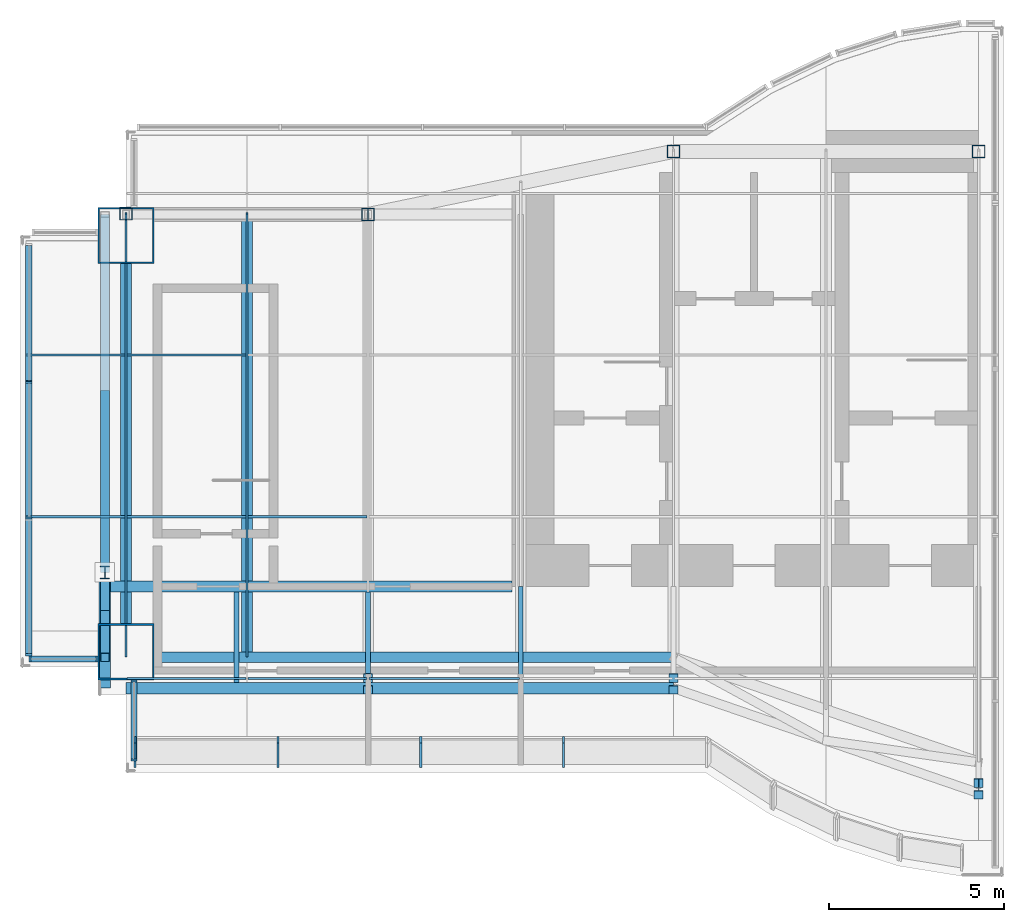
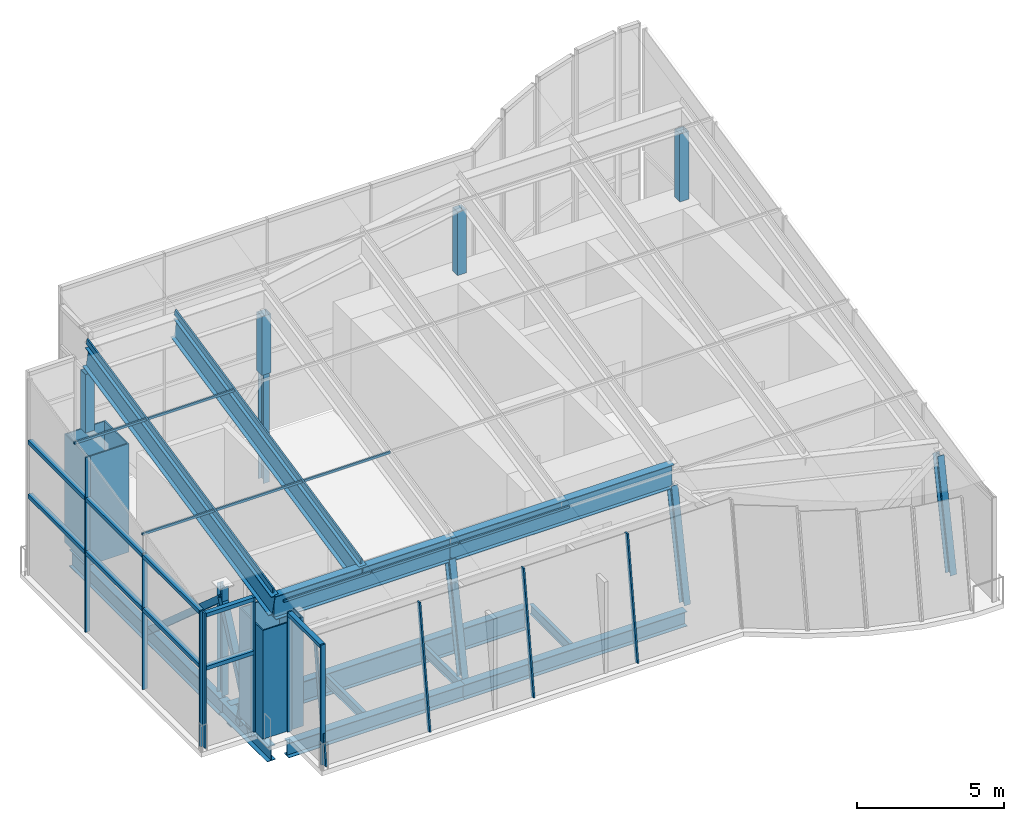
# One storey, part 1 of 8: 34 members, 12 beams, 11 columns, 6 elements without a shape of their own.
"""IFC4 building model written with IfcOpenShell, lengths in metres."""

from ifc_helpers import new_model, si_unit, direction, frame, origin, origin_2d, place, context, subcontext, project, spatial, rectangle, hollow_rectangle, i_section, extrude, material, material_profile, profile_set, type_object, element, aggregate, save


model = new_model("IFC4")

# Units and contexts
model_context = context("Model", 3, precision=1e-05, world=origin(), true_north=direction((0.0, 1.0)))
body_context = subcontext(model_context, "Body", "Model", "MODEL_VIEW")
ifc_project = project(units=[si_unit("LENGTHUNIT", "METRE"), si_unit("AREAUNIT", "SQUARE_METRE"), si_unit("VOLUMEUNIT", "CUBIC_METRE"), si_unit("PLANEANGLEUNIT", "RADIAN"), si_unit("MASSUNIT", "GRAM", prefix="KILO")], contexts=[model_context])

# Site, building, storey
site_placement = place(None, origin())
site = spatial("IfcSite", under=ifc_project, at=site_placement, CompositionType="ELEMENT")
building_placement = place(site_placement, origin())
building = spatial("IfcBuilding", under=site, at=building_placement, Name="Bicima Exchange Tower", CompositionType="ELEMENT")
storey_placement = place(building_placement, frame((0.0, 0.0, 379.39990234375)))
storey = spatial("IfcBuildingStorey", under=building, at=storey_placement, Name="L85", CompositionType="ELEMENT", Elevation=379.39990234375)

# Columns
ifc_material_1 = material(Name="Steel ASTM A572 Gr 50", Category="steel")
ifc_material_profile_1 = material_profile(ifc_material_1, hollow_rectangle(XDim=1.60009765625, YDim=1.60009765625, WallThickness=0.050048828125, at=origin_2d()))
ifc_profile_set_1 = profile_set([ifc_material_profile_1], Name="Steel ASTM A572 Gr 50")
column_type_1 = type_object("IfcColumnType", Name="Mega column BOX 1600x1600x50", PredefinedType="COLUMN", material=ifc_profile_set_1)
for number, where, z_axis, x_axis, name in (
    (1, (-33.0, -14.858642578125, 0.0), (0.0, 0.0, 1.0), (1.0, 0.0, 0.0), "Mega column mega-33.0f"),
    (2, (-33.0, -3.0, 0.0), (0.0, 0.0, 1.0), (1.0, 0.0, 0.0), "Mega column mega-33.0r"),
):
    element("IfcColumn", number, at=place(storey_placement, frame(where, z_axis=z_axis, x_axis=x_axis)), inside=storey, type_object=column_type_1, Name=name, PredefinedType="COLUMN", context=body_context, shape_type="SweptSolid", body=[
        extrude(hollow_rectangle(XDim=1.60009765625, YDim=1.60009765625, WallThickness=0.050048828125, at=origin_2d()), origin(), (0.0, 0.0, 1.0), 4.5),
    ])
ifc_material_2 = material(Name="Steel ASTM A992 Gr 50", Category="steel")
ifc_material_profile_2 = material_profile(ifc_material_2, i_section(OverallWidth=0.25390625, OverallDepth=0.35302734375, WebThickness=0.009521484375, FlangeThickness=0.016357421875, at=origin_2d()))
ifc_profile_set_2 = profile_set([ifc_material_profile_2], Name="Steel ASTM A992 Gr 50")
column_type_2 = type_object("IfcColumnType", Name="Perimeter column W14x61", PredefinedType="COLUMN", material=ifc_profile_set_2)
column_1_placement = place(storey_placement, frame((-26.10009765625, -15.890380859375, 0.03369140625), z_axis=(0.0, 0.191154699822, 0.981559922132), x_axis=(-1.0, 0.0, 0.0)))
element("IfcColumn", 3, at=column_1_placement, inside=storey, type_object=column_type_2, Name="Perimeter column grav-26.1f", PredefinedType="COLUMN", context=body_context, shape_type="SweptSolid", body=[
    extrude(i_section(OverallWidth=0.25390625, OverallDepth=0.35302734375, WebThickness=0.009521484375, FlangeThickness=0.016357421875, at=origin_2d()), origin(), (0.0, 0.0, 1.0), 4.51611328125),
])
column_2_placement = place(storey_placement, frame((-26.10009765625, -2.39990234375, 0.0), z_axis=(0.0, 0.0, 1.0), x_axis=(1.0, 0.0, 0.0)))
element("IfcColumn", 4, at=column_2_placement, inside=storey, type_object=column_type_2, Name="Perimeter column grav-26.1r", PredefinedType="COLUMN", context=body_context, shape_type="SweptSolid", body=[
    extrude(i_section(OverallWidth=0.25390625, OverallDepth=0.35302734375, WebThickness=0.009521484375, FlangeThickness=0.016357421875, at=origin_2d()), origin(), (0.0, 0.0, 1.0), 4.5),
])
for number, where, z_axis, x_axis, name in (
    (5, (-17.39990234375, -15.890380859375, 0.03369140625), (0.0, 0.191154699822, 0.981559922132), (-1.0, 0.0, 0.0), "Perimeter column grav-17.4f"),
    (6, (-8.699951171875, -18.881591796875, 0.03369140625), (0.0, 0.191206783257, 0.981549777666), (-1.0, 0.0, 0.0), "Perimeter column grav-8.7f"),
):
    element("IfcColumn", number, at=place(storey_placement, frame(where, z_axis=z_axis, x_axis=x_axis)), inside=storey, type_object=column_type_2, Name=name, PredefinedType="COLUMN", context=body_context, shape_type="SweptSolid", body=[
        extrude(i_section(OverallWidth=0.25390625, OverallDepth=0.35302734375, WebThickness=0.009521484375, FlangeThickness=0.016357421875, at=origin_2d()), origin(), (0.0, 0.0, 1.0), 4.51611328125),
    ])
column_3_placement = place(storey_placement, frame((-33.60009765625, -12.60009765625, 0.0), z_axis=(0.0, 0.0, 1.0), x_axis=(1.0, 0.0, 0.0)))
element("IfcColumn", 7, at=column_3_placement, inside=storey, type_object=column_type_2, Name="End column end-33.6e", PredefinedType="COLUMN", context=body_context, shape_type="SweptSolid", body=[
    extrude(i_section(OverallWidth=0.25390625, OverallDepth=0.35302734375, WebThickness=0.009521484375, FlangeThickness=0.016357421875, at=origin_2d()), origin(), (0.0, 0.0, 1.0), 4.5),
])
ifc_material_profile_3 = material_profile(ifc_material_1, hollow_rectangle(XDim=0.355712890625, YDim=0.355712890625, WallThickness=0.01171875, at=origin_2d()))
ifc_profile_set_3 = profile_set([ifc_material_profile_3], Name="Steel ASTM A572 Gr 50")
column_type_3 = type_object("IfcColumnType", Name="Roof post HSS14x14x1/2", PredefinedType="COLUMN", material=ifc_profile_set_3)
column_4_placement = place(storey_placement, frame((-33.0, -2.377685546875, 4.51611328125), z_axis=(0.0, 0.0, 1.0), x_axis=(1.0, 0.0, 0.0)))
element("IfcColumn", 8, at=column_4_placement, inside=storey, type_object=column_type_3, Name="Roof post", PredefinedType="COLUMN", context=body_context, shape_type="SweptSolid", body=[
    extrude(hollow_rectangle(XDim=0.355712890625, YDim=0.355712890625, WallThickness=0.01171875, at=origin_2d()), origin(), (0.0, 0.0, 1.0), 2.4169921875),
])
column_5_placement = place(storey_placement, frame((-26.10009765625, -2.39990234375, 4.5), z_axis=(0.0, 0.0, 1.0), x_axis=(1.0, 0.0, 0.0)))
element("IfcColumn", 9, at=column_5_placement, inside=storey, type_object=column_type_3, Name="Roof post", PredefinedType="COLUMN", context=body_context, shape_type="SweptSolid", body=[
    extrude(hollow_rectangle(XDim=0.355712890625, YDim=0.355712890625, WallThickness=0.01171875, at=origin_2d()), origin(), (0.0, 0.0, 1.0), 2.43310546875),
])
column_6_placement = place(storey_placement, frame((-17.39990234375, -0.60009765625, 4.5), z_axis=(0.0, 0.0, 1.0), x_axis=(1.0, 0.0, 0.0)))
element("IfcColumn", 10, at=column_6_placement, inside=storey, type_object=column_type_3, Name="Roof post", PredefinedType="COLUMN", context=body_context, shape_type="SweptSolid", body=[
    extrude(hollow_rectangle(XDim=0.355712890625, YDim=0.355712890625, WallThickness=0.01171875, at=origin_2d()), origin(), (0.0, 0.0, 1.0), 2.624267578125),
])
column_7_placement = place(storey_placement, frame((-8.699951171875, -0.60009765625, 4.5), z_axis=(0.0, 0.0, 1.0), x_axis=(1.0, 0.0, 0.0)))
element("IfcColumn", 11, at=column_7_placement, inside=storey, type_object=column_type_3, Name="Roof post", PredefinedType="COLUMN", context=body_context, shape_type="SweptSolid", body=[
    extrude(hollow_rectangle(XDim=0.355712890625, YDim=0.355712890625, WallThickness=0.01171875, at=origin_2d()), origin(), (0.0, 0.0, 1.0), 2.815673828125),
])

# Beam
ifc_material_profile_4 = material_profile(ifc_material_2, i_section(OverallWidth=0.3046875, OverallDepth=0.911865234375, WebThickness=0.015869140625, FlangeThickness=0.02392578125, at=origin_2d()))
ifc_profile_set_4 = profile_set([ifc_material_profile_4], Name="Steel ASTM A992 Gr 50")
beam_type_1 = type_object("IfcBeamType", Name="Core-line girder W36x150", PredefinedType="BEAM", material=ifc_profile_set_4)
beam_1_placement = place(storey_placement, frame((-22.0, -13.0, -0.65576171875), z_axis=(-1.0, 0.0, 0.0), x_axis=(0.0, -1.0, 0.0)))
element("IfcBeam", 12, at=beam_1_placement, inside=storey, type_object=beam_type_1, Name="Core-line girder", PredefinedType="BEAM", context=body_context, shape_type="SweptSolid", body=[
    extrude(i_section(OverallWidth=0.3046875, OverallDepth=0.911865234375, WebThickness=0.015869140625, FlangeThickness=0.02392578125, at=origin_2d()), origin(), (0.0, 0.0, 1.0), 11.60009765625),
])

# Curtain wall, members
ifc_material_3 = material(Name="Anodised bronze aluminium", Category="aluminium")
curtain_wall_type = type_object("IfcCurtainWallType", Name="Crown glass wall", PredefinedType="NOTDEFINED", material=ifc_material_3)
curtain_wall_1_placement = place(storey_placement, origin())
curtain_wall_1 = element("IfcCurtainWall", 13, at=curtain_wall_1_placement, inside=storey, type_object=curtain_wall_type, Name="Crown glass wall L85 run 11", PredefinedType="NOTDEFINED")
ifc_material_profile_5 = material_profile(ifc_material_3, rectangle(XDim=0.179931640625, YDim=0.06005859375, at=origin_2d()))
ifc_profile_set_5 = profile_set([ifc_material_profile_5], Name="Anodised bronze aluminium")
member_type_1 = type_object("IfcMemberType", Name="Crown glass wall mullion 60 x 180", PredefinedType="MULLION", material=ifc_profile_set_5)
member_1_placement = place(storey_placement, frame((-35.77001953125, -7.15576171875, 0.0), z_axis=(0.0, 0.0, 1.0), x_axis=(1.0, 0.0, 0.0)))
member_1 = element("IfcMember", 14, at=member_1_placement, type_object=member_type_1, Name="Crown glass wall mullion 2", PredefinedType="MULLION", context=body_context, shape_type="SweptSolid", body=[
    extrude(rectangle(XDim=0.179931640625, YDim=0.06005859375, at=origin_2d()), origin(), (0.0, 0.0, 1.0), 5.604248046875),
])
member_2_placement = place(storey_placement, frame((-35.77001953125, -11.05126953125, 0.0), z_axis=(0.0, 0.0, 1.0), x_axis=(1.0, 0.0, 0.0)))
member_2 = element("IfcMember", 15, at=member_2_placement, type_object=member_type_1, Name="Crown glass wall mullion 3", PredefinedType="MULLION", context=body_context, shape_type="SweptSolid", body=[
    extrude(rectangle(XDim=0.179931640625, YDim=0.06005859375, at=origin_2d()), origin(), (0.0, 0.0, 1.0), 5.604248046875),
])
member_3_placement = place(storey_placement, frame((-35.77001953125, -14.947021484375, 0.0), z_axis=(0.0, 0.0, 1.0), x_axis=(1.0, 0.0, 0.0)))
member_3 = element("IfcMember", 16, at=member_3_placement, type_object=member_type_1, Name="Crown glass wall mullion 4", PredefinedType="MULLION", context=body_context, shape_type="SweptSolid", body=[
    extrude(rectangle(XDim=0.179931640625, YDim=0.06005859375, at=origin_2d()), origin(), (0.0, 0.0, 1.0), 5.604248046875),
])

curtain_wall_2_placement = place(storey_placement, origin())
curtain_wall_2 = element("IfcCurtainWall", 17, at=curtain_wall_2_placement, inside=storey, type_object=curtain_wall_type, Name="Crown glass wall L85 run 12", PredefinedType="NOTDEFINED")
member_4_placement = place(storey_placement, frame((-35.739990234375, -15.06689453125, 0.0), z_axis=(0.0, 0.0, 1.0), x_axis=(0.0, 1.0, 0.0)))
member_4 = element("IfcMember", 18, at=member_4_placement, type_object=member_type_1, Name="Crown glass wall mullion 1", PredefinedType="MULLION", context=body_context, shape_type="SweptSolid", body=[
    extrude(rectangle(XDim=0.179931640625, YDim=0.06005859375, at=origin_2d()), origin(), (0.0, 0.0, 1.0), 5.585205078125),
])
member_5_placement = place(storey_placement, frame((-33.830078125, -15.06689453125, 0.0), z_axis=(0.0, 0.0, 1.0), x_axis=(0.0, 1.0, 0.0)))
member_5 = element("IfcMember", 19, at=member_5_placement, type_object=member_type_1, Name="Crown glass wall mullion 2", PredefinedType="MULLION", context=body_context, shape_type="SweptSolid", body=[
    extrude(rectangle(XDim=0.179931640625, YDim=0.06005859375, at=origin_2d()), origin(), (0.0, 0.0, 1.0), 5.585205078125),
])

curtain_wall_3_placement = place(storey_placement, origin())
curtain_wall_3 = element("IfcCurtainWall", 20, at=curtain_wall_3_placement, inside=storey, type_object=curtain_wall_type, Name="Crown glass wall L85 run 13", PredefinedType="NOTDEFINED")
member_6_placement = place(storey_placement, frame((-32.77001953125, -15.688720703125, 0.0), z_axis=(0.0, 0.0, 1.0), x_axis=(1.0, 0.0, 0.0)))
member_6 = element("IfcMember", 21, at=member_6_placement, type_object=member_type_1, Name="Crown glass wall mullion 1", PredefinedType="MULLION", context=body_context, shape_type="SweptSolid", body=[
    extrude(rectangle(XDim=0.179931640625, YDim=0.06005859375, at=origin_2d()), origin(), (0.0, 0.0, 1.0), 4.966552734375),
])
member_7_placement = place(storey_placement, frame((-32.77001953125, -17.947021484375, 0.0), z_axis=(0.0, 0.0, 1.0), x_axis=(1.0, 0.0, 0.0)))
member_7 = element("IfcMember", 22, at=member_7_placement, type_object=member_type_1, Name="Crown glass wall mullion 2", PredefinedType="MULLION", context=body_context, shape_type="SweptSolid", body=[
    extrude(rectangle(XDim=0.179931640625, YDim=0.06005859375, at=origin_2d()), origin(), (0.0, 0.0, 1.0), 4.966552734375),
])

curtain_wall_4_placement = place(storey_placement, origin())
curtain_wall_4 = element("IfcCurtainWall", 23, at=curtain_wall_4_placement, inside=storey, type_object=curtain_wall_type, Name="Crown tilted glass L85 14.1", PredefinedType="NOTDEFINED")
member_8_placement = place(storey_placement, frame((-32.739990234375, -18.06689453125, 0.0), z_axis=(0.0, 0.139170225062, 0.990268472918), x_axis=(0.0, -0.990268472918, 0.139170225062)))
member_8 = element("IfcMember", 24, at=member_8_placement, type_object=member_type_1, Name="Crown tilted mullion 1", PredefinedType="MULLION", context=body_context, shape_type="SweptSolid", body=[
    extrude(rectangle(XDim=0.179931640625, YDim=0.06005859375, at=origin_2d()), origin(), (0.0, 0.0, 1.0), 4.99609375),
])
member_9_placement = place(storey_placement, frame((-28.67041015625, -18.06689453125, 0.0), z_axis=(0.0, 0.139170225062, 0.990268472918), x_axis=(0.0, -0.990268472918, 0.139170225062)))
member_9 = element("IfcMember", 25, at=member_9_placement, type_object=member_type_1, Name="Crown tilted mullion 2", PredefinedType="MULLION", context=body_context, shape_type="SweptSolid", body=[
    extrude(rectangle(XDim=0.179931640625, YDim=0.06005859375, at=origin_2d()), origin(), (0.0, 0.0, 1.0), 4.99609375),
])
member_10_placement = place(storey_placement, frame((-24.60107421875, -18.06689453125, 0.0), z_axis=(0.0, 0.139170225062, 0.990268472918), x_axis=(0.0, -0.990268472918, 0.139170225062)))
member_10 = element("IfcMember", 26, at=member_10_placement, type_object=member_type_1, Name="Crown tilted mullion 3", PredefinedType="MULLION", context=body_context, shape_type="SweptSolid", body=[
    extrude(rectangle(XDim=0.179931640625, YDim=0.06005859375, at=origin_2d()), origin(), (0.0, 0.0, 1.0), 4.99609375),
])
member_11_placement = place(storey_placement, frame((-20.531494140625, -18.06689453125, 0.0), z_axis=(0.0, 0.139170225062, 0.990268472918), x_axis=(0.0, -0.990268472918, 0.139170225062)))
member_11 = element("IfcMember", 27, at=member_11_placement, type_object=member_type_1, Name="Crown tilted mullion 4", PredefinedType="MULLION", context=body_context, shape_type="SweptSolid", body=[
    extrude(rectangle(XDim=0.179931640625, YDim=0.06005859375, at=origin_2d()), origin(), (0.0, 0.0, 1.0), 4.99609375),
])
aggregate(curtain_wall_4, [member_8, member_9, member_10, member_11])

# Curtain wall, member
curtain_wall_5_placement = place(storey_placement, origin())
curtain_wall_5 = element("IfcCurtainWall", 28, at=curtain_wall_5_placement, inside=storey, type_object=curtain_wall_type, Name="Gable glazing west 11", PredefinedType="NOTDEFINED")
member_12_placement = place(storey_placement, frame((-35.77001953125, -7.185791015625, 5.585205078125), z_axis=(0.0, 0.0, 1.0), x_axis=(1.0, 0.0, 0.0)))
member_12 = element("IfcMember", 29, at=member_12_placement, type_object=member_type_1, Name="Gable glazing mullion 2", PredefinedType="MULLION", context=body_context, shape_type="SweptSolid", body=[
    extrude(rectangle(XDim=0.179931640625, YDim=0.06005859375, at=origin_2d()), origin(), (0.0, 0.0, 1.0), 1.67529296875),
])
aggregate(curtain_wall_5, [member_12])

# Member
ifc_material_profile_6 = material_profile(ifc_material_3, rectangle(XDim=0.179931640625, YDim=0.159912109375, at=origin_2d()))
ifc_profile_set_6 = profile_set([ifc_material_profile_6], Name="Anodised bronze aluminium")
member_type_2 = type_object("IfcMemberType", Name="Crown glass wall transom 160 x 180", PredefinedType="USERDEFINED", material=ifc_profile_set_6)
member_13_placement = place(storey_placement, frame((-35.77001953125, -3.2900390625, 3.300048828125), z_axis=(0.0, -1.0, 0.0), x_axis=(1.0, 0.0, 0.0)))
member_13 = element("IfcMember", 30, at=member_13_placement, type_object=member_type_2, Name="Crown glass wall transom 1.1", ObjectType="TRANSOM", PredefinedType="USERDEFINED", context=body_context, shape_type="SweptSolid", body=[
    extrude(rectangle(XDim=0.179931640625, YDim=0.159912109375, at=origin_2d()), origin(), (0.0, 0.0, 1.0), 3.835693359375),
])

member_14_placement = place(storey_placement, frame((-35.77001953125, -3.2900390625, 5.5244140625), z_axis=(0.0, -1.0, 0.0), x_axis=(1.0, 0.0, 0.0)))
member_14 = element("IfcMember", 31, at=member_14_placement, type_object=member_type_2, Name="Crown glass wall transom 1.2", ObjectType="TRANSOM", PredefinedType="USERDEFINED", context=body_context, shape_type="SweptSolid", body=[
    extrude(rectangle(XDim=0.179931640625, YDim=0.159912109375, at=origin_2d()), origin(), (0.0, 0.0, 1.0), 3.835693359375),
])

member_15_placement = place(storey_placement, frame((-35.77001953125, -7.185791015625, 3.300048828125), z_axis=(0.0, -1.0, 0.0), x_axis=(1.0, 0.0, 0.0)))
member_15 = element("IfcMember", 32, at=member_15_placement, type_object=member_type_2, Name="Crown glass wall transom 2.1", ObjectType="TRANSOM", PredefinedType="USERDEFINED", context=body_context, shape_type="SweptSolid", body=[
    extrude(rectangle(XDim=0.179931640625, YDim=0.159912109375, at=origin_2d()), origin(), (0.0, 0.0, 1.0), 3.83544921875),
])

member_16_placement = place(storey_placement, frame((-35.77001953125, -7.185791015625, 5.5244140625), z_axis=(0.0, -1.0, 0.0), x_axis=(1.0, 0.0, 0.0)))
member_16 = element("IfcMember", 33, at=member_16_placement, type_object=member_type_2, Name="Crown glass wall transom 2.2", ObjectType="TRANSOM", PredefinedType="USERDEFINED", context=body_context, shape_type="SweptSolid", body=[
    extrude(rectangle(XDim=0.179931640625, YDim=0.159912109375, at=origin_2d()), origin(), (0.0, 0.0, 1.0), 3.83544921875),
])

member_17_placement = place(storey_placement, frame((-35.77001953125, -11.081298828125, 3.300048828125), z_axis=(0.0, -1.0, 0.0), x_axis=(1.0, 0.0, 0.0)))
member_17 = element("IfcMember", 34, at=member_17_placement, type_object=member_type_2, Name="Crown glass wall transom 3.1", ObjectType="TRANSOM", PredefinedType="USERDEFINED", context=body_context, shape_type="SweptSolid", body=[
    extrude(rectangle(XDim=0.179931640625, YDim=0.159912109375, at=origin_2d()), origin(), (0.0, 0.0, 1.0), 3.835693359375),
])

member_18_placement = place(storey_placement, frame((-35.77001953125, -11.081298828125, 5.5244140625), z_axis=(0.0, -1.0, 0.0), x_axis=(1.0, 0.0, 0.0)))
member_18 = element("IfcMember", 35, at=member_18_placement, type_object=member_type_2, Name="Crown glass wall transom 3.2", ObjectType="TRANSOM", PredefinedType="USERDEFINED", context=body_context, shape_type="SweptSolid", body=[
    extrude(rectangle(XDim=0.179931640625, YDim=0.159912109375, at=origin_2d()), origin(), (0.0, 0.0, 1.0), 3.835693359375),
])

aggregate(curtain_wall_1, [member_1, member_2, member_3, member_13, member_14, member_15, member_16, member_17, member_18])

member_19_placement = place(storey_placement, frame((-35.7099609375, -15.06689453125, 3.300048828125), z_axis=(1.0, 0.0, 0.0), x_axis=(0.0, 1.0, 0.0)))
member_19 = element("IfcMember", 36, at=member_19_placement, type_object=member_type_2, Name="Crown glass wall transom 1.1", ObjectType="TRANSOM", PredefinedType="USERDEFINED", context=body_context, shape_type="SweptSolid", body=[
    extrude(rectangle(XDim=0.179931640625, YDim=0.159912109375, at=origin_2d()), origin(), (0.0, 0.0, 1.0), 1.849853515625),
])

member_20_placement = place(storey_placement, frame((-35.7099609375, -15.06689453125, 5.505126953125), z_axis=(1.0, 0.0, 0.0), x_axis=(0.0, 1.0, 0.0)))
member_20 = element("IfcMember", 37, at=member_20_placement, type_object=member_type_2, Name="Crown glass wall transom 1.2", ObjectType="TRANSOM", PredefinedType="USERDEFINED", context=body_context, shape_type="SweptSolid", body=[
    extrude(rectangle(XDim=0.179931640625, YDim=0.159912109375, at=origin_2d()), origin(), (0.0, 0.0, 1.0), 1.849853515625),
])

aggregate(curtain_wall_2, [member_4, member_5, member_19, member_20])

member_21_placement = place(storey_placement, frame((-32.77001953125, -15.71875, 4.88671875), z_axis=(0.0, -1.0, 0.0), x_axis=(1.0, 0.0, 0.0)))
member_21 = element("IfcMember", 38, at=member_21_placement, type_object=member_type_2, Name="Crown glass wall transom 1.1", ObjectType="TRANSOM", PredefinedType="USERDEFINED", context=body_context, shape_type="SweptSolid", body=[
    extrude(rectangle(XDim=0.179931640625, YDim=0.159912109375, at=origin_2d()), origin(), (0.0, 0.0, 1.0), 2.1982421875),
])

aggregate(curtain_wall_3, [member_6, member_7, member_21])

# Beams
ifc_material_profile_7 = material_profile(ifc_material_2, i_section(OverallWidth=0.3251953125, OverallDepth=0.612060546875, WebThickness=0.0126953125, FlangeThickness=0.01904296875, at=origin_2d()))
ifc_profile_set_7 = profile_set([ifc_material_profile_7], Name="Steel ASTM A992 Gr 50")
beam_type_2 = type_object("IfcBeamType", Name="End girder W24x104", PredefinedType="BEAM", material=ifc_profile_set_7)
beam_2_placement = place(storey_placement, frame((-33.60009765625, -12.60009765625, -0.506103515625), z_axis=(0.0, -1.0, 0.0), x_axis=(1.0, 0.0, 0.0)))
element("IfcBeam", 39, at=beam_2_placement, inside=storey, type_object=beam_type_2, Name="End girder", PredefinedType="BEAM", context=body_context, shape_type="SweptSolid", body=[
    extrude(i_section(OverallWidth=0.3251953125, OverallDepth=0.612060546875, WebThickness=0.0126953125, FlangeThickness=0.01904296875, at=origin_2d()), origin(), (0.0, 0.0, 1.0), 3.296875),
])
ifc_material_profile_8 = material_profile(ifc_material_2, i_section(OverallWidth=0.256591796875, OverallDepth=0.693359375, WebThickness=0.014404296875, FlangeThickness=0.023681640625, at=origin_2d()))
ifc_profile_set_8 = profile_set([ifc_material_profile_8], Name="Steel ASTM A992 Gr 50")
beam_type_3 = type_object("IfcBeamType", Name="End girder W27x114", PredefinedType="BEAM", material=ifc_profile_set_8)
beam_3_placement = place(storey_placement, frame((-33.60009765625, -2.39990234375, -0.546630859375), z_axis=(0.0, -1.0, 0.0), x_axis=(1.0, 0.0, 0.0)))
element("IfcBeam", 40, at=beam_3_placement, inside=storey, type_object=beam_type_3, Name="End girder", PredefinedType="BEAM", context=body_context, shape_type="SweptSolid", body=[
    extrude(i_section(OverallWidth=0.256591796875, OverallDepth=0.693359375, WebThickness=0.014404296875, FlangeThickness=0.023681640625, at=origin_2d()), origin(), (0.0, 0.0, 1.0), 10.2001953125),
])
ifc_material_profile_9 = material_profile(ifc_material_2, i_section(OverallWidth=0.140380859375, OverallDepth=0.40380859375, WebThickness=0.007080078125, FlangeThickness=0.01123046875, at=origin_2d()))
ifc_profile_set_9 = profile_set([ifc_material_profile_9], Name="Steel ASTM A992 Gr 50")
beam_type_4 = type_object("IfcBeamType", Name="Floor beam W16x31", PredefinedType="JOIST", material=ifc_profile_set_9)
for number, where, z_axis, x_axis, name in (
    (41, (-29.85009765625, -13.15234375, -0.40185546875), (0.0, -1.0, 0.0), (1.0, 0.0, 0.0), "Floor beam"),
    (42, (-26.10009765625, -13.15234375, -0.40185546875), (0.0, -1.0, 0.0), (1.0, 0.0, 0.0), "Floor beam"),
):
    element("IfcBeam", number, at=place(storey_placement, frame(where, z_axis=z_axis, x_axis=x_axis)), inside=storey, type_object=beam_type_4, Name=name, PredefinedType="JOIST", context=body_context, shape_type="SweptSolid", body=[
        extrude(i_section(OverallWidth=0.140380859375, OverallDepth=0.40380859375, WebThickness=0.007080078125, FlangeThickness=0.01123046875, at=origin_2d()), origin(), (0.0, 0.0, 1.0), 2.58203125),
    ])
beam_4_placement = place(storey_placement, frame((-21.75, -13.0, -0.40185546875), z_axis=(0.0, -1.0, 0.0), x_axis=(1.0, 0.0, 0.0)))
element("IfcBeam", 43, at=beam_4_placement, inside=storey, type_object=beam_type_4, Name="Floor beam", PredefinedType="JOIST", context=body_context, shape_type="SweptSolid", body=[
    extrude(i_section(OverallWidth=0.140380859375, OverallDepth=0.40380859375, WebThickness=0.007080078125, FlangeThickness=0.01123046875, at=origin_2d()), origin(), (0.0, 0.0, 1.0), 2.734375),
])
beam_type_5 = type_object("IfcBeamType", Name="Front girder W24x104", PredefinedType="BEAM", material=ifc_profile_set_7)
beam_5_placement = place(storey_placement, frame((-33.0, -15.89697265625, -0.506103515625), z_axis=(1.0, 0.0, 0.0), x_axis=(0.0, 1.0, 0.0)))
element("IfcBeam", 44, at=beam_5_placement, inside=storey, type_object=beam_type_5, Name="Front girder", PredefinedType="BEAM", context=body_context, shape_type="SweptSolid", body=[
    extrude(i_section(OverallWidth=0.3251953125, OverallDepth=0.612060546875, WebThickness=0.0126953125, FlangeThickness=0.01904296875, at=origin_2d()), origin(), (0.0, 0.0, 1.0), 6.89990234375),
])
beam_6_placement = place(storey_placement, frame((-26.10009765625, -15.89697265625, -0.506103515625), z_axis=(1.0, 0.0, 0.0), x_axis=(0.0, 1.0, 0.0)))
element("IfcBeam", 45, at=beam_6_placement, inside=storey, type_object=beam_type_5, Name="Front girder", PredefinedType="BEAM", context=body_context, shape_type="SweptSolid", body=[
    extrude(i_section(OverallWidth=0.3251953125, OverallDepth=0.612060546875, WebThickness=0.0126953125, FlangeThickness=0.01904296875, at=origin_2d()), origin(), (0.0, 0.0, 1.0), 8.7001953125),
])

# Members
ifc_material_profile_10 = material_profile(ifc_material_1, hollow_rectangle(XDim=0.25390625, YDim=0.25390625, WallThickness=0.01171875, at=origin_2d()))
ifc_profile_set_10 = profile_set([ifc_material_profile_10], Name="Steel ASTM A572 Gr 50")
member_type_3 = type_object("IfcMemberType", Name="Mega brace HSS10x10x1/2", PredefinedType="BRACE", material=ifc_profile_set_10)
member_22_placement = place(storey_placement, frame((-33.60009765625, -7.5, -0.546630859375), z_axis=(0.0, -0.749844140428, 0.661614513948), x_axis=(1.0, 0.0, 0.0)))
element("IfcMember", 46, at=member_22_placement, inside=storey, type_object=member_type_3, Name="Mega brace west end", PredefinedType="BRACE", context=body_context, shape_type="SweptSolid", body=[
    extrude(hollow_rectangle(XDim=0.25390625, YDim=0.25390625, WallThickness=0.01171875, at=origin_2d()), origin(), (0.0, 0.0, 1.0), 6.801513671875),
])
member_23_placement = place(storey_placement, frame((-33.60009765625, -13.810302734375, -0.506103515625), z_axis=(0.0, -0.259706662276, 0.965687552767), x_axis=(1.0, 0.0, 0.0)))
element("IfcMember", 47, at=member_23_placement, inside=storey, type_object=member_type_3, Name="Mega brace west end", PredefinedType="BRACE", context=body_context, shape_type="SweptSolid", body=[
    extrude(hollow_rectangle(XDim=0.25390625, YDim=0.25390625, WallThickness=0.01171875, at=origin_2d()), origin(), (0.0, 0.0, 1.0), 4.659912109375),
])
member_24_placement = place(storey_placement, frame((-33.60009765625, -14.686767578125, -0.506103515625), z_axis=(0.0, 0.420677425977, 0.907210286137), x_axis=(-1.0, 0.0, 0.0)))
element("IfcMember", 48, at=member_24_placement, inside=storey, type_object=member_type_3, Name="Mega brace west end", PredefinedType="BRACE", context=body_context, shape_type="SweptSolid", body=[
    extrude(hollow_rectangle(XDim=0.25390625, YDim=0.25390625, WallThickness=0.01171875, at=origin_2d()), origin(), (0.0, 0.0, 1.0), 4.960205078125),
])

# Beams
ifc_material_profile_11 = material_profile(ifc_material_2, i_section(OverallWidth=0.2998046875, OverallDepth=0.97021484375, WebThickness=0.01611328125, FlangeThickness=0.02099609375, at=origin_2d()))
ifc_profile_set_11 = profile_set([ifc_material_profile_11], Name="Steel ASTM A992 Gr 50")
beam_type_6 = type_object("IfcBeamType", Name="Roof eave beam W40x149", PredefinedType="BEAM", material=ifc_profile_set_11)
beam_7_placement = place(storey_placement, frame((-33.0, -15.0205078125, 4.85498046875), z_axis=(1.0, 0.0, 0.0), x_axis=(0.0, 1.0, 0.0)))
element("IfcBeam", 49, at=beam_7_placement, inside=storey, type_object=beam_type_6, Name="Roof eave beam", PredefinedType="BEAM", context=body_context, shape_type="SweptSolid", body=[
    extrude(i_section(OverallWidth=0.2998046875, OverallDepth=0.97021484375, WebThickness=0.01611328125, FlangeThickness=0.02099609375, at=origin_2d()), origin(), (0.0, 0.0, 1.0), 6.89990234375),
])
beam_8_placement = place(storey_placement, frame((-26.10009765625, -15.0205078125, 4.85498046875), z_axis=(1.0, 0.0, 0.0), x_axis=(0.0, 1.0, 0.0)))
element("IfcBeam", 50, at=beam_8_placement, inside=storey, type_object=beam_type_6, Name="Roof eave beam", PredefinedType="BEAM", context=body_context, shape_type="SweptSolid", body=[
    extrude(i_section(OverallWidth=0.2998046875, OverallDepth=0.97021484375, WebThickness=0.01611328125, FlangeThickness=0.02099609375, at=origin_2d()), origin(), (0.0, 0.0, 1.0), 8.7001953125),
])

# Curtain wall, members
curtain_wall_6_placement = place(storey_placement, origin())
curtain_wall_6 = element("IfcCurtainWall", 51, at=curtain_wall_6_placement, inside=storey, type_object=curtain_wall_type, Name="Roof glazing west", PredefinedType="NOTDEFINED")
ifc_material_profile_12 = material_profile(ifc_material_3, rectangle(XDim=0.06005859375, YDim=0.248291015625, at=origin_2d()))
ifc_profile_set_12 = profile_set([ifc_material_profile_12], Name="Anodised bronze aluminium")
member_type_4 = type_object("IfcMemberType", Name="Roof glazing bar 60 x 248", PredefinedType="USERDEFINED", material=ifc_profile_set_12)
member_25_placement = place(storey_placement, frame((-33.0, -14.985595703125, 5.468017578125), z_axis=(0.0, 0.978147211684, 0.207913521143), x_axis=(-1.0, 0.0, 0.0)))
member_25 = element("IfcMember", 52, at=member_25_placement, type_object=member_type_4, Name="Roof glazing bar west rafter 1", ObjectType="GLAZING BAR", PredefinedType="USERDEFINED", context=body_context, shape_type="SweptSolid", body=[
    extrude(rectangle(XDim=0.06005859375, YDim=0.248291015625, at=origin_2d()), origin(), (0.0, 0.0, 1.0), 12.902587890625),
])
member_26_placement = place(storey_placement, frame((-29.550048828125, -14.985595703125, 5.468017578125), z_axis=(0.0, 0.978147211684, 0.207913521143), x_axis=(-1.0, 0.0, 0.0)))
member_26 = element("IfcMember", 53, at=member_26_placement, type_object=member_type_4, Name="Roof glazing bar west rafter 2", ObjectType="GLAZING BAR", PredefinedType="USERDEFINED", context=body_context, shape_type="SweptSolid", body=[
    extrude(rectangle(XDim=0.06005859375, YDim=0.248291015625, at=origin_2d()), origin(), (0.0, 0.0, 1.0), 12.902587890625),
])
ifc_material_profile_13 = material_profile(ifc_material_3, rectangle(XDim=0.06005859375, YDim=0.090087890625, at=origin_2d()))
ifc_profile_set_13 = profile_set([ifc_material_profile_13], Name="Anodised bronze aluminium")
member_type_5 = type_object("IfcMemberType", Name="Roof glazing bar 60 x 90", PredefinedType="USERDEFINED", material=ifc_profile_set_13)
member_27_placement = place(storey_placement, frame((-32.969970703125, -15.624267578125, 5.415283203125), z_axis=(1.0, 0.0, 0.0), x_axis=(0.0, 1.0, 0.0)))
member_27 = element("IfcMember", 54, at=member_27_placement, type_object=member_type_5, Name="Roof glazing bar west cross 1.2", ObjectType="GLAZING BAR", PredefinedType="USERDEFINED", context=body_context, shape_type="SweptSolid", body=[
    extrude(rectangle(XDim=0.06005859375, YDim=0.090087890625, at=origin_2d()), origin(), (0.0, 0.0, 1.0), 3.389892578125),
])
member_28_placement = place(storey_placement, frame((-29.52001953125, -15.624267578125, 5.415283203125), z_axis=(1.0, 0.0, 0.0), x_axis=(0.0, 1.0, 0.0)))
member_28 = element("IfcMember", 55, at=member_28_placement, type_object=member_type_5, Name="Roof glazing bar west cross 1.3", ObjectType="GLAZING BAR", PredefinedType="USERDEFINED", context=body_context, shape_type="SweptSolid", body=[
    extrude(rectangle(XDim=0.06005859375, YDim=0.090087890625, at=origin_2d()), origin(), (0.0, 0.0, 1.0), 3.39013671875),
])
member_29_placement = place(storey_placement, frame((-26.070068359375, -15.624267578125, 5.415283203125), z_axis=(1.0, 0.0, 0.0), x_axis=(0.0, 1.0, 0.0)))
member_29 = element("IfcMember", 56, at=member_29_placement, type_object=member_type_5, Name="Roof glazing bar west cross 1.4", ObjectType="GLAZING BAR", PredefinedType="USERDEFINED", context=body_context, shape_type="SweptSolid", body=[
    extrude(rectangle(XDim=0.06005859375, YDim=0.090087890625, at=origin_2d()), origin(), (0.0, 0.0, 1.0), 4.2900390625),
])
member_30_placement = place(storey_placement, frame((-35.85009765625, -11.014892578125, 6.39501953125), z_axis=(1.0, 0.0, 0.0), x_axis=(0.0, 1.0, 0.0)))
member_30 = element("IfcMember", 57, at=member_30_placement, type_object=member_type_5, Name="Roof glazing bar west cross 2.1", ObjectType="GLAZING BAR", PredefinedType="USERDEFINED", context=body_context, shape_type="SweptSolid", body=[
    extrude(rectangle(XDim=0.06005859375, YDim=0.090087890625, at=origin_2d()), origin(), (0.0, 0.0, 1.0), 2.820068359375),
])
member_31_placement = place(storey_placement, frame((-32.969970703125, -11.014892578125, 6.39501953125), z_axis=(1.0, 0.0, 0.0), x_axis=(0.0, 1.0, 0.0)))
member_31 = element("IfcMember", 58, at=member_31_placement, type_object=member_type_5, Name="Roof glazing bar west cross 2.2", ObjectType="GLAZING BAR", PredefinedType="USERDEFINED", context=body_context, shape_type="SweptSolid", body=[
    extrude(rectangle(XDim=0.06005859375, YDim=0.090087890625, at=origin_2d()), origin(), (0.0, 0.0, 1.0), 3.389892578125),
])
member_32_placement = place(storey_placement, frame((-29.52001953125, -11.014892578125, 6.39501953125), z_axis=(1.0, 0.0, 0.0), x_axis=(0.0, 1.0, 0.0)))
member_32 = element("IfcMember", 59, at=member_32_placement, type_object=member_type_5, Name="Roof glazing bar west cross 2.3", ObjectType="GLAZING BAR", PredefinedType="USERDEFINED", context=body_context, shape_type="SweptSolid", body=[
    extrude(rectangle(XDim=0.06005859375, YDim=0.090087890625, at=origin_2d()), origin(), (0.0, 0.0, 1.0), 3.39013671875),
])
member_33_placement = place(storey_placement, frame((-35.85009765625, -6.405517578125, 7.374755859375), z_axis=(1.0, 0.0, 0.0), x_axis=(0.0, 1.0, 0.0)))
member_33 = element("IfcMember", 60, at=member_33_placement, type_object=member_type_5, Name="Roof glazing bar west cross 3.1", ObjectType="GLAZING BAR", PredefinedType="USERDEFINED", context=body_context, shape_type="SweptSolid", body=[
    extrude(rectangle(XDim=0.06005859375, YDim=0.090087890625, at=origin_2d()), origin(), (0.0, 0.0, 1.0), 2.820068359375),
])
member_34_placement = place(storey_placement, frame((-32.969970703125, -6.405517578125, 7.374755859375), z_axis=(1.0, 0.0, 0.0), x_axis=(0.0, 1.0, 0.0)))
member_34 = element("IfcMember", 61, at=member_34_placement, type_object=member_type_5, Name="Roof glazing bar west cross 3.2", ObjectType="GLAZING BAR", PredefinedType="USERDEFINED", context=body_context, shape_type="SweptSolid", body=[
    extrude(rectangle(XDim=0.06005859375, YDim=0.090087890625, at=origin_2d()), origin(), (0.0, 0.0, 1.0), 3.389892578125),
])
aggregate(curtain_wall_6, [member_25, member_26, member_27, member_28, member_29, member_30, member_31, member_32, member_33, member_34])

# Beams
ifc_material_profile_14 = material_profile(ifc_material_2, i_section(OverallWidth=0.3046875, OverallDepth=0.904296875, WebThickness=0.01513671875, FlangeThickness=0.02001953125, at=origin_2d()))
ifc_profile_set_14 = profile_set([ifc_material_profile_14], Name="Steel ASTM A992 Gr 50")
beam_type_7 = type_object("IfcBeamType", Name="Roof rafter beam W36x135", PredefinedType="BEAM", material=ifc_profile_set_14)
for number, where, z_axis, x_axis, name in (
    (62, (-33.0, -15.0205078125, 4.887939453125), (0.0, 0.978147211684, 0.207913521143), (-1.0, 0.0, 0.0), "Roof rafter beam"),
    (63, (-29.550048828125, -15.0205078125, 4.887939453125), (0.0, 0.978147211684, 0.207913521143), (-1.0, 0.0, 0.0), "Roof rafter beam"),
):
    element("IfcBeam", number, at=place(storey_placement, frame(where, z_axis=z_axis, x_axis=x_axis)), inside=storey, type_object=beam_type_7, Name=name, PredefinedType="BEAM", context=body_context, shape_type="SweptSolid", body=[
        extrude(i_section(OverallWidth=0.3046875, OverallDepth=0.904296875, WebThickness=0.01513671875, FlangeThickness=0.02001953125, at=origin_2d()), origin(), (0.0, 0.0, 1.0), 12.902587890625),
    ])

save(model, "model.ifc")
